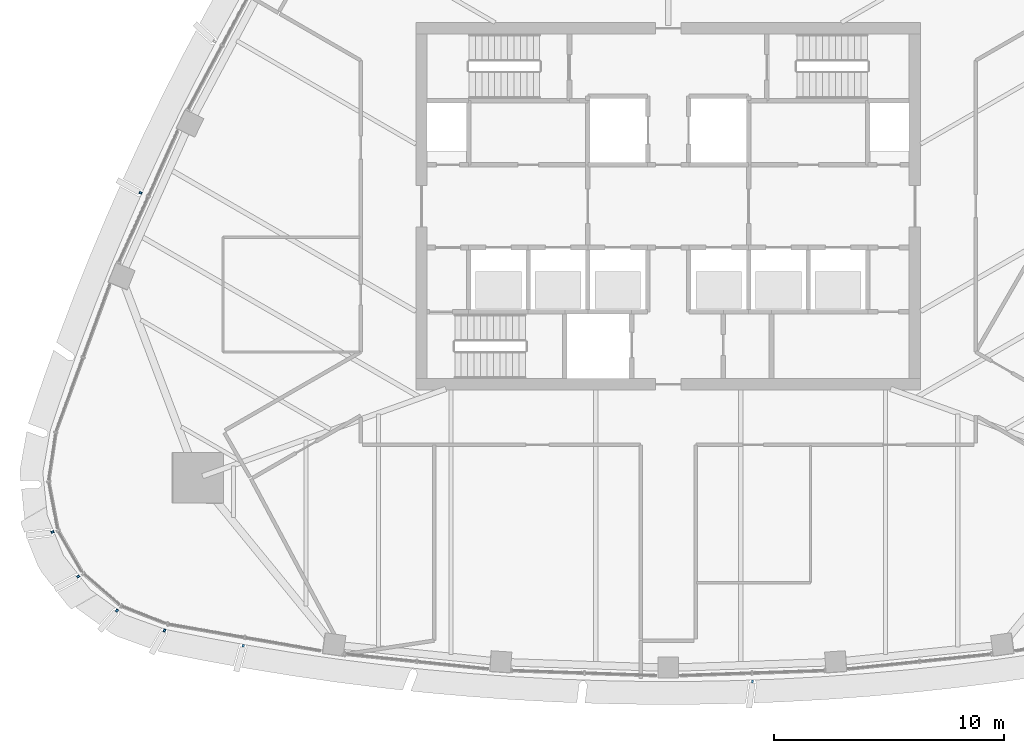
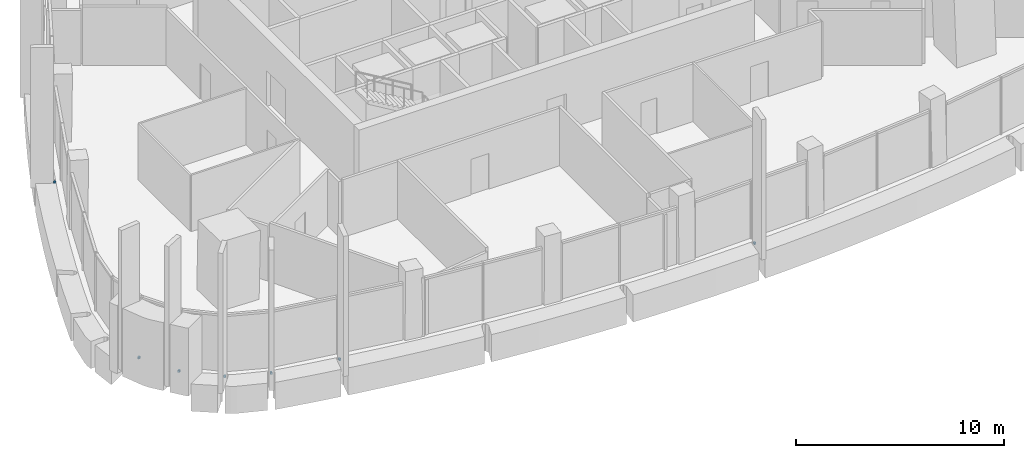
# One storey, part 12 of 19: 7 discrete accessories.
"""IFC4 building model written with IfcOpenShell, lengths in metres."""

from ifc_helpers import new_model, si_unit, direction, frame, origin, origin_2d, place, context, subcontext, project, spatial, rectangle, extrude, material, type_object, element, save


model = new_model("IFC4")

# Units and contexts
model_context = context("Model", 3, precision=1e-05, world=origin(), true_north=direction((0.0, 1.0)))
body_context = subcontext(model_context, "Body", "Model", "MODEL_VIEW")
ifc_project = project(units=[si_unit("LENGTHUNIT", "METRE"), si_unit("AREAUNIT", "SQUARE_METRE"), si_unit("VOLUMEUNIT", "CUBIC_METRE"), si_unit("PLANEANGLEUNIT", "RADIAN"), si_unit("MASSUNIT", "GRAM", prefix="KILO")], contexts=[model_context])

# Site, building, storey
site_placement = place(None, origin())
site = spatial("IfcSite", under=ifc_project, at=site_placement, CompositionType="ELEMENT")
building_placement = place(site_placement, origin())
building = spatial("IfcBuilding", under=site, at=building_placement, Name="Sierra Prisma Convention Tower", CompositionType="ELEMENT")
storey_placement = place(building_placement, frame((0.0, 0.0, 295.0)))
storey = spatial("IfcBuildingStorey", under=building, at=storey_placement, Name="L67", CompositionType="ELEMENT", Elevation=295.0)

# Discrete accessories
ifc_material = material(Name="Stainless steel 316", Category="steel")
discrete_accessory_type = type_object("IfcDiscreteAccessoryType", Name="Fin bracket", PredefinedType="BRACKET", material=ifc_material)
for number, where, z_axis, x_axis, name in (
    (1, (-21.947509765625, -18.486083984375, -0.135009765625), (0.0, 0.0, 1.0), (-0.339803927187, -0.940496300401, 0.0), "Fin bracket L67.1 base"),
    (2, (-18.519287109375, -19.150634765625, -0.135009765625), (0.0, 0.0, 1.0), (-0.178696411209, -0.983904259886, 0.0), "Fin bracket L67.2 base"),
    (3, (3.6708984375, -20.7041015625, -0.135009765625), (0.0, 0.0, 1.0), (0.035924543724, -0.999354505247, 0.0), "Fin bracket L67.11 base"),
    (4, (-22.990478515625, 0.58154296875, -0.135009765625), (0.0, 0.0, 1.0), (-0.914792688375, 0.403923677562, 0.0), "Fin bracket L67.58 base"),
    (5, (-26.82666015625, -14.194091796875, -0.135009765625), (0.0, 0.0, 1.0), (-0.927360373922, -0.374169395968, 0.0), "Fin bracket L67.64 base"),
    (6, (-25.705810546875, -16.135498046875, -0.135009765625), (0.0, 0.0, 1.0), (-0.787720389188, -0.616032944296, 0.0), "Fin bracket L67.65 base"),
    (7, (-24.021728515625, -17.61767578125, -0.135009765625), (0.0, 0.0, 1.0), (-0.586640339867, -0.809847585439, 0.0), "Fin bracket L67.66 base"),
):
    element("IfcDiscreteAccessory", number, at=place(storey_placement, frame(where, z_axis=z_axis, x_axis=x_axis)), inside=storey, type_object=discrete_accessory_type, Name=name, PredefinedType="BRACKET", context=body_context, shape_type="SweptSolid", body=[
        extrude(rectangle(XDim=0.1201171875, YDim=0.10009765625, at=origin_2d()), origin(), (0.0, 0.0, 1.0), 0.1201171875),
    ])

save(model, "model.ifc")
